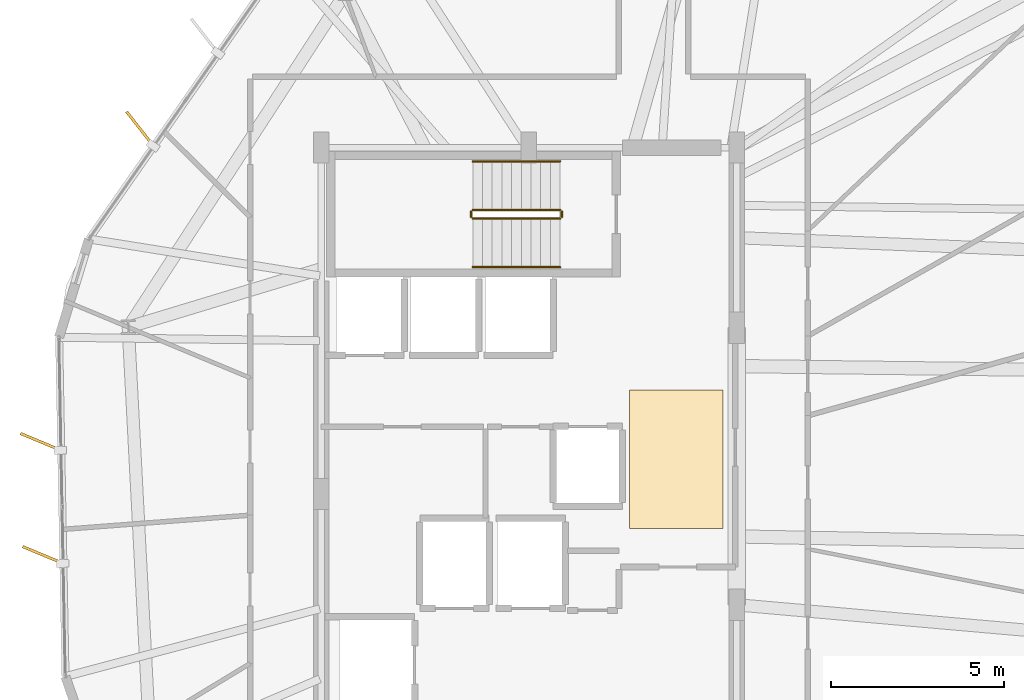
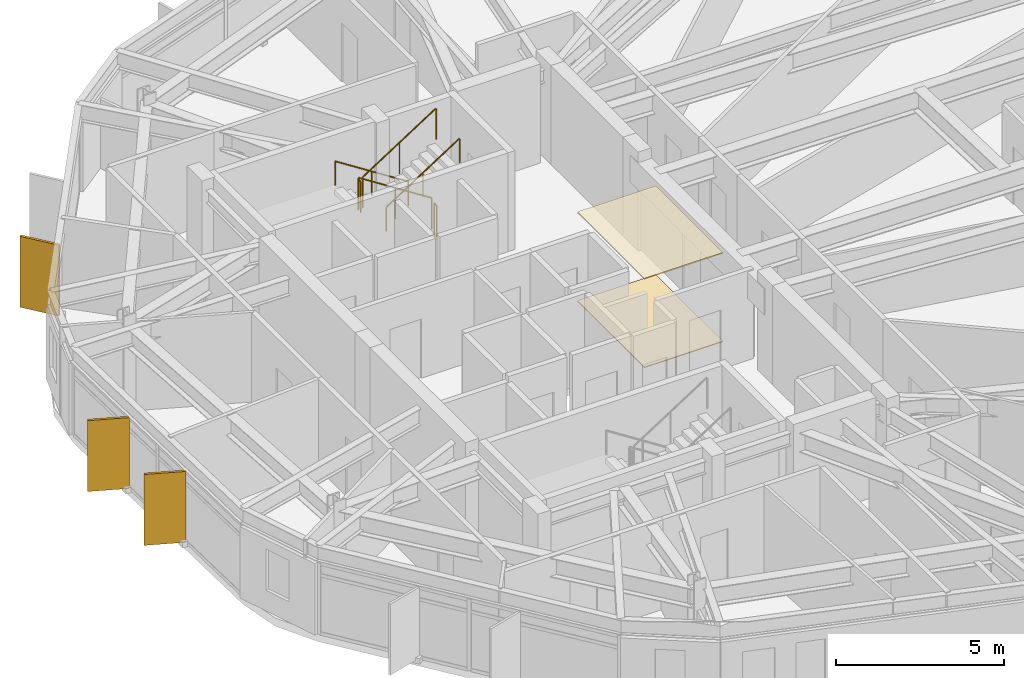
# One storey, part 33 of 34: 6 railings, 3 shading devices, 2 coverings.
"""IFC4 building model written with IfcOpenShell, lengths in metres."""

import ifcopenshell
import ifcopenshell.guid

model = None  # the IFC model being written
_history = None  # IfcOwnerHistory: only IFC2X3 demands one
_inside = {}  # id of a spatial element -> (the spatial element, [elements in it])
_under = {}  # id of a project, library or spatial element -> (it, [spatial elements below it])
_declared = {}  # id of a project -> (the project, [libraries it declares])
_typed = {}  # id of a type object -> (the type object, [elements of that type])
_made_of = {}  # id of a material, layer set ... -> (it, [elements and type objects made of it])


def new_model(schema):
    """Start an empty IFC model of exactly this schema.

    Asked for "IFC4X3", IfcOpenShell would pick the latest addendum, in which some entities
    have other attributes; the version numbers below select the first issue.
    IFC2X3 requires an IfcOwnerHistory on every rooted entity: one is made here for all.
    """
    global model, _history
    if schema == "IFC4X3":
        model = ifcopenshell.file(schema_version=(4, 3, 0, 0))
    else:
        model = ifcopenshell.file(schema=schema)
    _inside.clear()
    _under.clear()
    _declared.clear()
    _typed.clear()
    _made_of.clear()
    _history = None
    if model.schema == "IFC2X3":
        org = make("IfcOrganization", Name="unknown")
        user = make(
            "IfcPersonAndOrganization",
            ThePerson=make("IfcPerson", FamilyName="unknown"),
            TheOrganization=org,
        )
        app = make(
            "IfcApplication",
            ApplicationDeveloper=org,
            Version="unknown",
            ApplicationFullName="unknown",
            ApplicationIdentifier="unknown",
        )
        _history = make(
            "IfcOwnerHistory",
            OwningUser=user,
            OwningApplication=app,
            ChangeAction="ADDED",
            CreationDate=0,
        )
    return model


def make(cls, **values):
    """One entity of the class cls with the attributes given. An attribute that is None is left unset."""
    return model.create_entity(
        cls, **{name: value for name, value in values.items() if value is not None}
    )


def rooted(cls, **values):
    """An entity with a GlobalId (a new one), such as an element, a storey or a relation."""
    return make(cls, GlobalId=ifcopenshell.guid.new(), OwnerHistory=_history, **values)


def si_unit(unit_type, name, prefix=None):
    """IfcSIUnit, for example si_unit("LENGTHUNIT", "METRE", prefix="MILLI")."""
    return make("IfcSIUnit", UnitType=unit_type, Prefix=prefix, Name=name)


def assignment(units):
    """IfcUnitAssignment: the units of a project."""
    return None if units is None else make("IfcUnitAssignment", Units=units)


def point(xyz):
    """IfcCartesianPoint."""
    return None if xyz is None else make("IfcCartesianPoint", Coordinates=xyz)


def direction(xyz):
    """IfcDirection."""
    return None if xyz is None else make("IfcDirection", DirectionRatios=xyz)


def frame(location, z_axis=None, x_axis=None):
    """IfcAxis2Placement3D, a coordinate frame: its origin and axes. An axis left out is left unset."""
    return make(
        "IfcAxis2Placement3D",
        Location=point(location),
        Axis=direction(z_axis),
        RefDirection=direction(x_axis),
    )


def frame_2d(location, x_axis=None):
    """IfcAxis2Placement2D, a coordinate frame in the plane: its origin and x axis."""
    return make(
        "IfcAxis2Placement2D", Location=point(location), RefDirection=direction(x_axis)
    )


def origin():
    """The frame at (0, 0, 0) with its axes left unset."""
    return frame((0.0, 0.0, 0.0))


def origin_2d():
    """The frame at (0, 0) in the plane with its x axis left unset."""
    return frame_2d((0.0, 0.0))


def place(relative_to, where):
    """IfcLocalPlacement: puts the frame where relative to a parent placement (None: the world)."""
    return make(
        "IfcLocalPlacement", PlacementRelTo=relative_to, RelativePlacement=where
    )


def context(
    kind, dimensions, precision=None, world=None, true_north=None, identifier=None
):
    """IfcGeometricRepresentationContext, for example the 3D "Model" context."""
    return make(
        "IfcGeometricRepresentationContext",
        ContextIdentifier=identifier,
        ContextType=kind,
        CoordinateSpaceDimension=dimensions,
        Precision=precision,
        WorldCoordinateSystem=world,
        TrueNorth=true_north,
    )


def subcontext(parent, identifier, kind, view, scale=None):
    """IfcGeometricRepresentationSubContext, for example "Body" below "Model"."""
    return make(
        "IfcGeometricRepresentationSubContext",
        ContextIdentifier=identifier,
        ContextType=kind,
        ParentContext=parent,
        TargetScale=scale,
        TargetView=view,
    )


def project(units=None, contexts=None):
    """IfcProject with its units and contexts."""
    return rooted(
        "IfcProject",
        Name="project",
        RepresentationContexts=contexts,
        UnitsInContext=assignment(units),
    )


def spatial(cls, under=None, at=None, **own):
    """A site, building, storey or space (cls), placed at a placement, below another one or the project."""
    s = rooted(cls, ObjectPlacement=at, **own)
    if under is not None:
        _under.setdefault(under.id(), (under, []))[1].append(s)
    return s


def polyline(points):
    """IfcPolyline through the points."""
    return make("IfcPolyline", Points=[point(p) for p in points])


def profile(cls, at=None, kind="AREA", **sizes):
    """A parametric profile (cls). Its sizes go by their IFC names, for example OverallWidth=200.0."""
    return make(cls, ProfileType=kind, Position=at, **sizes)


def rectangle(**sizes):
    """IfcRectangleProfileDef."""
    return profile("IfcRectangleProfileDef", **sizes)


def circle(**sizes):
    """IfcCircleProfileDef."""
    return profile("IfcCircleProfileDef", **sizes)


def outline(outer, holes=None, kind="AREA"):
    """IfcArbitraryClosedProfileDef: a profile drawn as a closed curve; with holes, ...WithVoids."""
    if holes is None:
        return make("IfcArbitraryClosedProfileDef", ProfileType=kind, OuterCurve=outer)
    return make(
        "IfcArbitraryProfileDefWithVoids",
        ProfileType=kind,
        OuterCurve=outer,
        InnerCurves=holes,
    )


def extrude(swept, where, along, depth):
    """IfcExtrudedAreaSolid: the profile swept, set in the frame where, extruded along a direction by depth."""
    return make(
        "IfcExtrudedAreaSolid",
        SweptArea=swept,
        Position=where,
        ExtrudedDirection=direction(along),
        Depth=depth,
    )


def shape(context_of_items, identifier, shape_type, items):
    """IfcShapeRepresentation: the items that make up one representation, for example the "Body"."""
    return make(
        "IfcShapeRepresentation",
        ContextOfItems=context_of_items,
        RepresentationIdentifier=identifier,
        RepresentationType=shape_type,
        Items=items,
    )


def material(Name=None, Category=None):
    """IfcMaterial."""
    return make("IfcMaterial", Name=Name, Category=Category)


def layer(
    of_material, thickness, ventilated=None, Name=None, Category=None, Priority=None
):
    """IfcMaterialLayer: one layer of a wall or slab, of a material (None: an air gap)."""
    return make(
        "IfcMaterialLayer",
        Material=of_material,
        LayerThickness=thickness,
        IsVentilated=ventilated,
        Name=Name,
        Category=Category,
        Priority=Priority,
    )


def layer_set(layers, Name=None):
    """IfcMaterialLayerSet."""
    return make("IfcMaterialLayerSet", MaterialLayers=layers, LayerSetName=Name)


def made_of(thing, what):
    """Note that an element or type object is made of a material, layer set ...; save() writes the relation."""
    if what is not None:
        _made_of.setdefault(what.id(), (what, []))[1].append(thing)
    return thing


def type_object(cls, material=None, **own):
    """A type object (cls), such as IfcWallType, which elements share."""
    return made_of(rooted(cls, **own), material)


def element(
    cls,
    number,
    at=None,
    inside=None,
    cuts=None,
    type_object=None,
    material=None,
    context=None,
    identifier="Body",
    shape_type=None,
    held_by="IfcProductDefinitionShape",
    body=None,
    shapes=None,
    **own,
):
    """One element of the class cls, such as IfcWall. Its Tag is "e" and its number.

    at: its placement. inside: the storey or other place that contains it. cuts: it is an
    opening in that element (IfcRelVoidsElement). A single representation is given by context,
    identifier, shape_type and body (its items); several are given by shapes. held_by: the class
    of the entity that holds the representations. save() writes the other relations.
    """
    e = rooted(cls, Tag="e%d" % number, ObjectPlacement=at, **own)
    if body is not None:
        shapes = [shape(context, identifier, shape_type, body)]
    if shapes is not None:
        e.Representation = make(held_by, Representations=shapes)
    if inside is not None:
        _inside.setdefault(inside.id(), (inside, []))[1].append(e)
    if cuts is not None:
        rooted(
            "IfcRelVoidsElement", RelatingBuildingElement=cuts, RelatedOpeningElement=e
        )
    if type_object is not None:
        _typed.setdefault(type_object.id(), (type_object, []))[1].append(e)
    return made_of(e, material)


def aggregate(whole, parts):
    """IfcRelAggregates: a whole, such as a stair, and the parts it consists of."""
    return rooted("IfcRelAggregates", RelatingObject=whole, RelatedObjects=parts)


def save(model, path):
    """Write the relations noted so far, then the file.

    IfcRelAggregates (storeys below a building ...), IfcRelContainedInSpatialStructure (elements
    in a storey), IfcRelDefinesByType, IfcRelAssociatesMaterial and IfcRelDeclares: one each for
    every whole, place, type object, material and project.
    """
    for whole, parts in _under.values():
        aggregate(whole, parts)
    for where, things in _inside.values():
        rooted(
            "IfcRelContainedInSpatialStructure",
            RelatedElements=things,
            RelatingStructure=where,
        )
    for kind, things in _typed.values():
        rooted("IfcRelDefinesByType", RelatedObjects=things, RelatingType=kind)
    for what, things in _made_of.values():
        rooted("IfcRelAssociatesMaterial", RelatedObjects=things, RelatingMaterial=what)
    for by, libraries in _declared.values():
        rooted("IfcRelDeclares", RelatingContext=by, RelatedDefinitions=libraries)
    model.write(path)


model = new_model("IFC4")

# Units and contexts
model_context = context("Model", 3, precision=1e-05, world=origin(), true_north=direction((0.0, 1.0)))
body_context = subcontext(model_context, "Body", "Model", "MODEL_VIEW")
ifc_project = project(units=[si_unit("LENGTHUNIT", "METRE"), si_unit("AREAUNIT", "SQUARE_METRE"), si_unit("VOLUMEUNIT", "CUBIC_METRE"), si_unit("PLANEANGLEUNIT", "RADIAN"), si_unit("MASSUNIT", "GRAM", prefix="KILO")], contexts=[model_context])

# Site, building, storey
site_placement = place(None, origin())
site = spatial("IfcSite", under=ifc_project, at=site_placement, CompositionType="ELEMENT")
building_placement = place(site_placement, origin())
building = spatial("IfcBuilding", under=site, at=building_placement, Name="Soratama Intermodal Tower", CompositionType="ELEMENT")
storey_placement = place(building_placement, frame((0.0, 0.0, 233.800048828125)))
storey = spatial("IfcBuildingStorey", under=building, at=storey_placement, Name="L59", CompositionType="ELEMENT", Elevation=233.800048828125)

# Coverings
ifc_material_1 = material(Name="Perforated mineral acoustic ceiling", Category="concrete")
ifc_layer_1 = layer(ifc_material_1, 0.0400390625)
ifc_layer_set_1 = layer_set([ifc_layer_1], Name="Perforated mineral acoustic ceiling")
covering_type_1 = type_object("IfcCoveringType", Name="CV-CEIL-ACOUSTIC", PredefinedType="CEILING", material=ifc_layer_set_1)
covering_1_placement = place(storey_placement, frame((0.0, 0.0, 3.219970703125)))
element("IfcCovering", 1, at=covering_1_placement, inside=storey, type_object=covering_type_1, Name="L59 Acoustic Ceiling", PredefinedType="CEILING", context=body_context, shape_type="SweptSolid", body=[
    extrude(outline(polyline([(41.5, 24.0), (44.199951171875, 24.0), (44.199951171875, 28.0), (41.5, 28.0), (41.5, 24.0)])), origin(), (0.0, 0.0, 1.0), 0.0400390625),
])
ifc_material_2 = material(Name="Polished Andean stone terrazzo flooring", Category="masonry")
ifc_layer_2 = layer(ifc_material_2, 0.030029296875)
ifc_layer_set_2 = layer_set([ifc_layer_2], Name="Polished Andean stone terrazzo flooring")
covering_type_2 = type_object("IfcCoveringType", Name="CV-FLOR-TERRAZZO", PredefinedType="FLOORING", material=ifc_layer_set_2)
covering_2_placement = place(storey_placement, origin())
element("IfcCovering", 2, at=covering_2_placement, inside=storey, type_object=covering_type_2, Name="L59 Lobby Terrazzo Flooring", PredefinedType="FLOORING", context=body_context, shape_type="SweptSolid", body=[
    extrude(outline(polyline([(41.5, 24.0), (44.199951171875, 24.0), (44.199951171875, 28.0), (41.5, 28.0), (41.5, 24.0)])), origin(), (0.0, 0.0, 1.0), 0.030029296875),
])

# Railings
ifc_material_3 = material(Name="Painted steel stair guardrail", Category="steel")
railing_type_1 = type_object("IfcRailingType", Name="RL-STAIR-GUARD", PredefinedType="GUARDRAIL", material=ifc_material_3)
railing_1_placement = place(storey_placement, frame((39.5, 33.199951171875, 0.179931640625)))
element("IfcRailing", 3, at=railing_1_placement, inside=storey, type_object=railing_type_1, Name="L59 ST-2 stair guard 1", PredefinedType="GUARDRAIL", context=body_context, shape_type="SweptSolid", body=[
    extrude(circle(Radius=0.02392578125, at=origin_2d()), frame((0.0, 0.0, 1.1259765625), z_axis=(-0.841162588446, 0.0, 0.540782303519), x_axis=(0.0, -1.0, 0.0)), (0.0, 0.0, 1.0), 2.995849609375),
    extrude(circle(Radius=0.02099609375, at=origin_2d()), origin(), (0.0, 0.0, 1.0), 1.101806640625),
    extrude(circle(Radius=0.02099609375, at=origin_2d()), frame((-1.260009765625, 0.0, 0.81005859375)), (0.0, 0.0, 1.0), 1.101806640625),
    extrude(circle(Radius=0.02099609375, at=origin_2d()), frame((-2.52001953125, 0.0, 1.6201171875)), (0.0, 0.0, 1.0), 1.101806640625),
])
railing_2_placement = place(storey_placement, frame((36.929931640625, 33.14990234375, 1.800048828125)))
element("IfcRailing", 4, at=railing_2_placement, inside=storey, type_object=railing_type_1, Name="L59 ST-2 stair guard 2", PredefinedType="GUARDRAIL", context=body_context, shape_type="SweptSolid", body=[
    extrude(circle(Radius=0.02392578125, at=origin_2d()), frame((0.0, 0.0, 1.1259765625), z_axis=(0.0, -1.0, 0.0), x_axis=(1.0, 0.0, 0.0)), (0.0, 0.0, 1.0), 0.14990234375),
    extrude(circle(Radius=0.02099609375, at=origin_2d()), origin(), (0.0, 0.0, 1.0), 1.101806640625),
    extrude(circle(Radius=0.02099609375, at=origin_2d()), frame((0.0, -0.14990234375, 0.0)), (0.0, 0.0, 1.0), 1.101806640625),
])
railing_3_placement = place(storey_placement, frame((36.97998046875, 32.949951171875, 1.97998046875)))
element("IfcRailing", 5, at=railing_3_placement, inside=storey, type_object=railing_type_1, Name="L59 ST-2 stair guard 3", PredefinedType="GUARDRAIL", context=body_context, shape_type="SweptSolid", body=[
    extrude(circle(Radius=0.02392578125, at=origin_2d()), frame((0.0, 0.0, 1.1259765625), z_axis=(0.841199657755, 0.0, 0.540724639528), x_axis=(0.0, 1.0, 0.0)), (0.0, 0.0, 1.0), 2.995849609375),
    extrude(circle(Radius=0.02099609375, at=origin_2d()), origin(), (0.0, 0.0, 1.0), 1.101806640625),
    extrude(circle(Radius=0.02099609375, at=origin_2d()), frame((1.260009765625, 0.0, 0.81005859375)), (0.0, 0.0, 1.0), 1.101806640625),
    extrude(circle(Radius=0.02099609375, at=origin_2d()), frame((2.52001953125, 0.0, 1.619873046875)), (0.0, 0.0, 1.0), 1.101806640625),
])
railing_4_placement = place(storey_placement, frame((39.550048828125, 33.14990234375, 0.0)))
element("IfcRailing", 6, at=railing_4_placement, inside=storey, type_object=railing_type_1, Name="L59 ST-2 stair guard 4", PredefinedType="GUARDRAIL", context=body_context, shape_type="SweptSolid", body=[
    extrude(circle(Radius=0.02392578125, at=origin_2d()), frame((0.0, 0.0, 1.1259765625), z_axis=(0.0, -1.0, 0.0), x_axis=(1.0, 0.0, 0.0)), (0.0, 0.0, 1.0), 0.14990234375),
    extrude(circle(Radius=0.02099609375, at=origin_2d()), origin(), (0.0, 0.0, 1.0), 1.101806640625),
    extrude(circle(Radius=0.02099609375, at=origin_2d()), frame((0.0, -0.14990234375, 0.0)), (0.0, 0.0, 1.0), 1.101806640625),
])
ifc_material_4 = material(Name="Brushed stainless steel handrail", Category="steel")
railing_type_2 = type_object("IfcRailingType", Name="RL-STAIR-HAND", PredefinedType="HANDRAIL", material=ifc_material_4)
railing_5_placement = place(storey_placement, frame((39.5, 34.60009765625, 0.179931640625)))
element("IfcRailing", 7, at=railing_5_placement, inside=storey, type_object=railing_type_2, Name="L59 ST-2 stair handrail 1", PredefinedType="HANDRAIL", context=body_context, shape_type="SweptSolid", body=[
    extrude(circle(Radius=0.02392578125, at=origin_2d()), frame((0.0, 0.0, 0.8759765625), z_axis=(-0.841162588446, 0.0, 0.540782303519), x_axis=(0.0, -1.0, 0.0)), (0.0, 0.0, 1.0), 2.995849609375),
    extrude(circle(Radius=0.02099609375, at=origin_2d()), origin(), (0.0, 0.0, 1.0), 0.851806640625),
    extrude(circle(Radius=0.02099609375, at=origin_2d()), frame((-1.260009765625, 0.0, 0.81005859375)), (0.0, 0.0, 1.0), 0.851806640625),
    extrude(circle(Radius=0.02099609375, at=origin_2d()), frame((-2.52001953125, 0.0, 1.6201171875)), (0.0, 0.0, 1.0), 0.851806640625),
])
railing_6_placement = place(storey_placement, frame((36.97998046875, 31.550048828125, 1.97998046875)))
element("IfcRailing", 8, at=railing_6_placement, inside=storey, type_object=railing_type_2, Name="L59 ST-2 stair handrail 2", PredefinedType="HANDRAIL", context=body_context, shape_type="SweptSolid", body=[
    extrude(circle(Radius=0.02392578125, at=origin_2d()), frame((0.0, 0.0, 0.8759765625), z_axis=(0.841199657755, 0.0, 0.540724639528), x_axis=(0.0, 1.0, 0.0)), (0.0, 0.0, 1.0), 2.995849609375),
    extrude(circle(Radius=0.02099609375, at=origin_2d()), origin(), (0.0, 0.0, 1.0), 0.851806640625),
    extrude(circle(Radius=0.02099609375, at=origin_2d()), frame((1.260009765625, 0.0, 0.81005859375)), (0.0, 0.0, 1.0), 0.851806640625),
    extrude(circle(Radius=0.02099609375, at=origin_2d()), frame((2.52001953125, 0.0, 1.619873046875)), (0.0, 0.0, 1.0), 0.851806640625),
])

# Shading devices
ifc_material_5 = material(Name="Champagne anodised aluminium solar fin", Category="aluminium")
ifc_layer_3 = layer(ifc_material_5, 0.080078125)
ifc_layer_set_3 = layer_set([ifc_layer_3], Name="Champagne anodised aluminium solar fin")
shading_device_type = type_object("IfcShadingDeviceType", Name="SH-FIN-1250", PredefinedType="USERDEFINED", material=ifc_layer_set_3)
for number, where, z_axis, x_axis, name in (
    (9, (27.368896484375, 35.546875, 0.02001953125), (0.0, 0.0, 1.0), (-0.617173211813, 0.7868273169, 0.0), "L59 Solar Fin F03-2"),
    (10, (24.500244140625, 26.506103515625, 0.02001953125), (0.0, 0.0, 1.0), (-0.923076016497, 0.3846175604, 0.0), "L59 Solar Fin F04-1"),
    (11, (24.561767578125, 23.24072265625, 0.02001953125), (0.0, 0.0, 1.0), (-0.923076016497, 0.3846175604, 0.0), "L59 Solar Fin F04-2"),
):
    element("IfcShadingDevice", number, at=place(storey_placement, frame(where, z_axis=z_axis, x_axis=x_axis)), inside=storey, type_object=shading_device_type, Name=name, ObjectType="FIN", PredefinedType="USERDEFINED", context=body_context, shape_type="SweptSolid", body=[
        extrude(rectangle(XDim=1.25, YDim=0.080078125, at=origin_2d()), origin(), (0.0, 0.0, 1.0), 2.5791015625),
    ])

save(model, "model.ifc")
